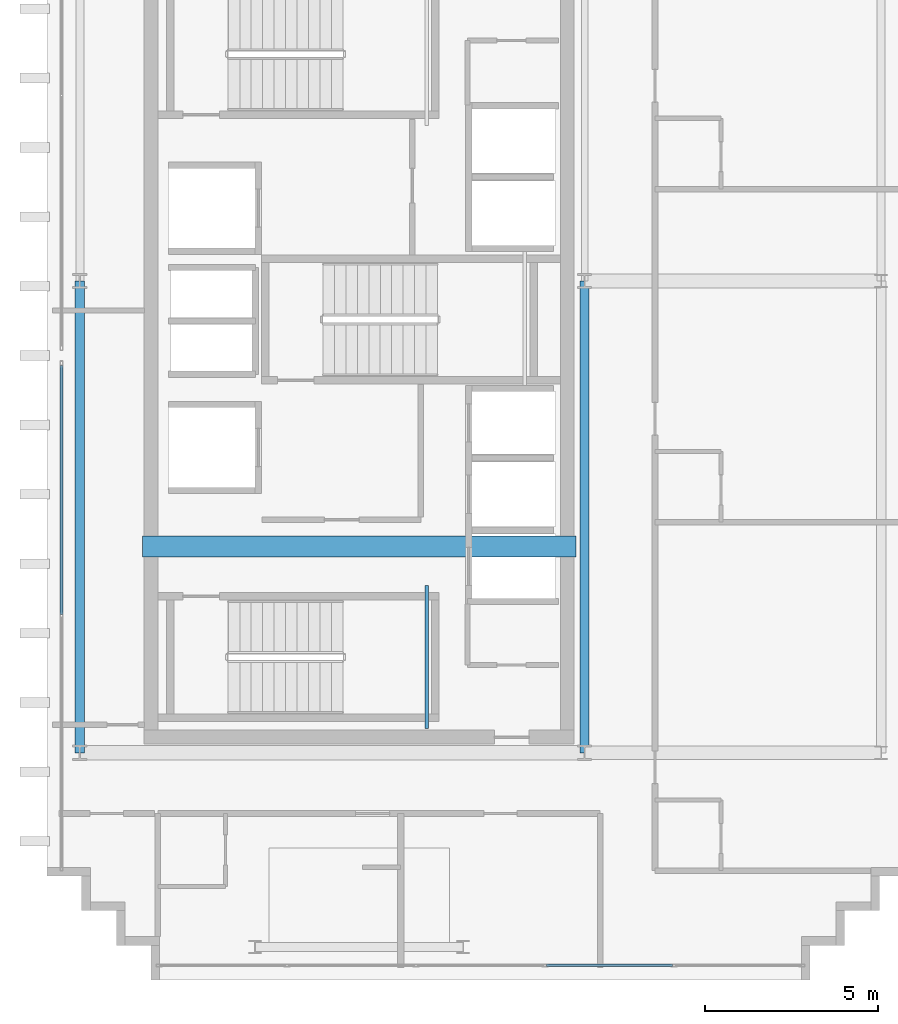
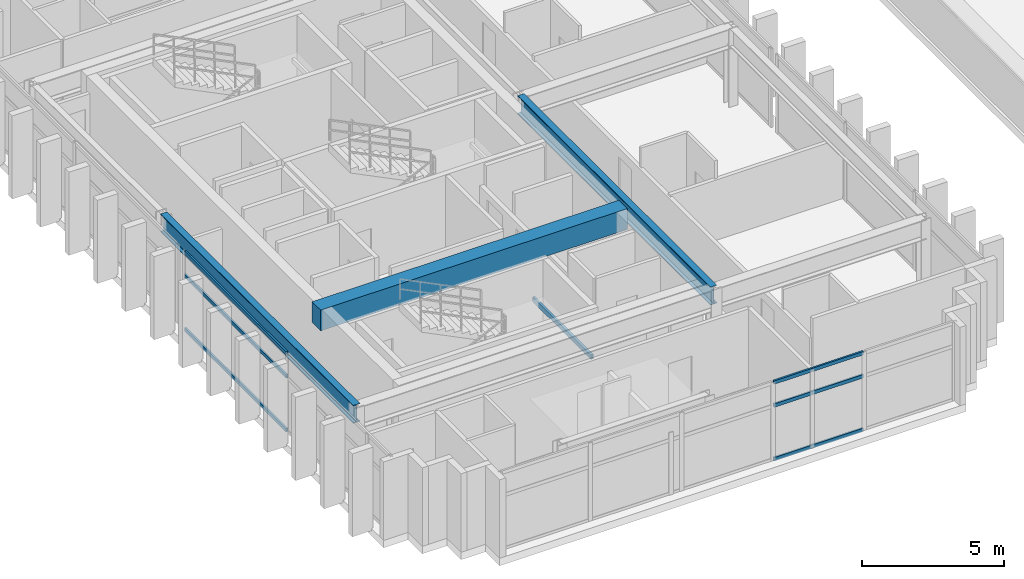
# One storey, part 4 of 17: 6 members, 4 beams, 2 elements without a shape of their own.
"""IFC4 building model written with IfcOpenShell, lengths in metres."""

import ifcopenshell
import ifcopenshell.guid

model = None  # the IFC model being written
_history = None  # IfcOwnerHistory: only IFC2X3 demands one
_inside = {}  # id of a spatial element -> (the spatial element, [elements in it])
_under = {}  # id of a project, library or spatial element -> (it, [spatial elements below it])
_declared = {}  # id of a project -> (the project, [libraries it declares])
_typed = {}  # id of a type object -> (the type object, [elements of that type])
_made_of = {}  # id of a material, layer set ... -> (it, [elements and type objects made of it])


def new_model(schema):
    """Start an empty IFC model of exactly this schema.

    Asked for "IFC4X3", IfcOpenShell would pick the latest addendum, in which some entities
    have other attributes; the version numbers below select the first issue.
    IFC2X3 requires an IfcOwnerHistory on every rooted entity: one is made here for all.
    """
    global model, _history
    if schema == "IFC4X3":
        model = ifcopenshell.file(schema_version=(4, 3, 0, 0))
    else:
        model = ifcopenshell.file(schema=schema)
    _inside.clear()
    _under.clear()
    _declared.clear()
    _typed.clear()
    _made_of.clear()
    _history = None
    if model.schema == "IFC2X3":
        org = make("IfcOrganization", Name="unknown")
        user = make(
            "IfcPersonAndOrganization",
            ThePerson=make("IfcPerson", FamilyName="unknown"),
            TheOrganization=org,
        )
        app = make(
            "IfcApplication",
            ApplicationDeveloper=org,
            Version="unknown",
            ApplicationFullName="unknown",
            ApplicationIdentifier="unknown",
        )
        _history = make(
            "IfcOwnerHistory",
            OwningUser=user,
            OwningApplication=app,
            ChangeAction="ADDED",
            CreationDate=0,
        )
    return model


def make(cls, **values):
    """One entity of the class cls with the attributes given. An attribute that is None is left unset."""
    return model.create_entity(
        cls, **{name: value for name, value in values.items() if value is not None}
    )


def rooted(cls, **values):
    """An entity with a GlobalId (a new one), such as an element, a storey or a relation."""
    return make(cls, GlobalId=ifcopenshell.guid.new(), OwnerHistory=_history, **values)


def si_unit(unit_type, name, prefix=None):
    """IfcSIUnit, for example si_unit("LENGTHUNIT", "METRE", prefix="MILLI")."""
    return make("IfcSIUnit", UnitType=unit_type, Prefix=prefix, Name=name)


def assignment(units):
    """IfcUnitAssignment: the units of a project."""
    return None if units is None else make("IfcUnitAssignment", Units=units)


def point(xyz):
    """IfcCartesianPoint."""
    return None if xyz is None else make("IfcCartesianPoint", Coordinates=xyz)


def direction(xyz):
    """IfcDirection."""
    return None if xyz is None else make("IfcDirection", DirectionRatios=xyz)


def frame(location, z_axis=None, x_axis=None):
    """IfcAxis2Placement3D, a coordinate frame: its origin and axes. An axis left out is left unset."""
    return make(
        "IfcAxis2Placement3D",
        Location=point(location),
        Axis=direction(z_axis),
        RefDirection=direction(x_axis),
    )


def frame_2d(location, x_axis=None):
    """IfcAxis2Placement2D, a coordinate frame in the plane: its origin and x axis."""
    return make(
        "IfcAxis2Placement2D", Location=point(location), RefDirection=direction(x_axis)
    )


def origin():
    """The frame at (0, 0, 0) with its axes left unset."""
    return frame((0.0, 0.0, 0.0))


def origin_2d():
    """The frame at (0, 0) in the plane with its x axis left unset."""
    return frame_2d((0.0, 0.0))


def place(relative_to, where):
    """IfcLocalPlacement: puts the frame where relative to a parent placement (None: the world)."""
    return make(
        "IfcLocalPlacement", PlacementRelTo=relative_to, RelativePlacement=where
    )


def context(
    kind, dimensions, precision=None, world=None, true_north=None, identifier=None
):
    """IfcGeometricRepresentationContext, for example the 3D "Model" context."""
    return make(
        "IfcGeometricRepresentationContext",
        ContextIdentifier=identifier,
        ContextType=kind,
        CoordinateSpaceDimension=dimensions,
        Precision=precision,
        WorldCoordinateSystem=world,
        TrueNorth=true_north,
    )


def subcontext(parent, identifier, kind, view, scale=None):
    """IfcGeometricRepresentationSubContext, for example "Body" below "Model"."""
    return make(
        "IfcGeometricRepresentationSubContext",
        ContextIdentifier=identifier,
        ContextType=kind,
        ParentContext=parent,
        TargetScale=scale,
        TargetView=view,
    )


def project(units=None, contexts=None):
    """IfcProject with its units and contexts."""
    return rooted(
        "IfcProject",
        Name="project",
        RepresentationContexts=contexts,
        UnitsInContext=assignment(units),
    )


def spatial(cls, under=None, at=None, **own):
    """A site, building, storey or space (cls), placed at a placement, below another one or the project."""
    s = rooted(cls, ObjectPlacement=at, **own)
    if under is not None:
        _under.setdefault(under.id(), (under, []))[1].append(s)
    return s


def profile(cls, at=None, kind="AREA", **sizes):
    """A parametric profile (cls). Its sizes go by their IFC names, for example OverallWidth=200.0."""
    return make(cls, ProfileType=kind, Position=at, **sizes)


def rectangle(**sizes):
    """IfcRectangleProfileDef."""
    return profile("IfcRectangleProfileDef", **sizes)


def hollow_rectangle(**sizes):
    """IfcRectangleHollowProfileDef."""
    return profile("IfcRectangleHollowProfileDef", **sizes)


def i_section(**sizes):
    """IfcIShapeProfileDef."""
    return profile("IfcIShapeProfileDef", **sizes)


def extrude(swept, where, along, depth):
    """IfcExtrudedAreaSolid: the profile swept, set in the frame where, extruded along a direction by depth."""
    return make(
        "IfcExtrudedAreaSolid",
        SweptArea=swept,
        Position=where,
        ExtrudedDirection=direction(along),
        Depth=depth,
    )


def shape(context_of_items, identifier, shape_type, items):
    """IfcShapeRepresentation: the items that make up one representation, for example the "Body"."""
    return make(
        "IfcShapeRepresentation",
        ContextOfItems=context_of_items,
        RepresentationIdentifier=identifier,
        RepresentationType=shape_type,
        Items=items,
    )


def source(mapping_origin, context_of_items, identifier, shape_type, items):
    """IfcRepresentationMap: a shape defined once, which mapped items show again and again."""
    return make(
        "IfcRepresentationMap",
        MappingOrigin=mapping_origin,
        MappedRepresentation=shape(context_of_items, identifier, shape_type, items),
    )


def transform(
    local_origin,
    x_axis=None,
    y_axis=None,
    z_axis=None,
    scale=None,
    scale2=None,
    scale3=None,
    uniform=True,
):
    """IfcCartesianTransformationOperator3D, or its non-uniform kind. x_axis, y_axis, z_axis: its Axis1, 2, 3."""
    if uniform:
        return make(
            "IfcCartesianTransformationOperator3D",
            Axis1=direction(x_axis),
            Axis2=direction(y_axis),
            LocalOrigin=point(local_origin),
            Scale=scale,
            Axis3=direction(z_axis),
        )
    return make(
        "IfcCartesianTransformationOperator3DnonUniform",
        Axis1=direction(x_axis),
        Axis2=direction(y_axis),
        LocalOrigin=point(local_origin),
        Scale=scale,
        Axis3=direction(z_axis),
        Scale2=scale2,
        Scale3=scale3,
    )


def mapped(mapping_source, mapping_target):
    """IfcMappedItem: shows the shape of a source again, moved by a transform."""
    return make(
        "IfcMappedItem", MappingSource=mapping_source, MappingTarget=mapping_target
    )


def material(Name=None, Category=None):
    """IfcMaterial."""
    return make("IfcMaterial", Name=Name, Category=Category)


def layer(
    of_material, thickness, ventilated=None, Name=None, Category=None, Priority=None
):
    """IfcMaterialLayer: one layer of a wall or slab, of a material (None: an air gap)."""
    return make(
        "IfcMaterialLayer",
        Material=of_material,
        LayerThickness=thickness,
        IsVentilated=ventilated,
        Name=Name,
        Category=Category,
        Priority=Priority,
    )


def layer_set(layers, Name=None):
    """IfcMaterialLayerSet."""
    return make("IfcMaterialLayerSet", MaterialLayers=layers, LayerSetName=Name)


def material_profile(
    of_material, cross_section, Name=None, Category=None, Priority=None
):
    """IfcMaterialProfile: a cross section and its material."""
    return make(
        "IfcMaterialProfile",
        Name=Name,
        Material=of_material,
        Profile=cross_section,
        Priority=Priority,
        Category=Category,
    )


def profile_set(profiles, Name=None, composite=None):
    """IfcMaterialProfileSet."""
    return make(
        "IfcMaterialProfileSet",
        Name=Name,
        MaterialProfiles=profiles,
        CompositeProfile=composite,
    )


def made_of(thing, what):
    """Note that an element or type object is made of a material, layer set ...; save() writes the relation."""
    if what is not None:
        _made_of.setdefault(what.id(), (what, []))[1].append(thing)
    return thing


def type_object(cls, material=None, **own):
    """A type object (cls), such as IfcWallType, which elements share."""
    return made_of(rooted(cls, **own), material)


def element(
    cls,
    number,
    at=None,
    inside=None,
    cuts=None,
    type_object=None,
    material=None,
    context=None,
    identifier="Body",
    shape_type=None,
    held_by="IfcProductDefinitionShape",
    body=None,
    shapes=None,
    **own,
):
    """One element of the class cls, such as IfcWall. Its Tag is "e" and its number.

    at: its placement. inside: the storey or other place that contains it. cuts: it is an
    opening in that element (IfcRelVoidsElement). A single representation is given by context,
    identifier, shape_type and body (its items); several are given by shapes. held_by: the class
    of the entity that holds the representations. save() writes the other relations.
    """
    e = rooted(cls, Tag="e%d" % number, ObjectPlacement=at, **own)
    if body is not None:
        shapes = [shape(context, identifier, shape_type, body)]
    if shapes is not None:
        e.Representation = make(held_by, Representations=shapes)
    if inside is not None:
        _inside.setdefault(inside.id(), (inside, []))[1].append(e)
    if cuts is not None:
        rooted(
            "IfcRelVoidsElement", RelatingBuildingElement=cuts, RelatedOpeningElement=e
        )
    if type_object is not None:
        _typed.setdefault(type_object.id(), (type_object, []))[1].append(e)
    return made_of(e, material)


def aggregate(whole, parts):
    """IfcRelAggregates: a whole, such as a stair, and the parts it consists of."""
    return rooted("IfcRelAggregates", RelatingObject=whole, RelatedObjects=parts)


def save(model, path):
    """Write the relations noted so far, then the file.

    IfcRelAggregates (storeys below a building ...), IfcRelContainedInSpatialStructure (elements
    in a storey), IfcRelDefinesByType, IfcRelAssociatesMaterial and IfcRelDeclares: one each for
    every whole, place, type object, material and project.
    """
    for whole, parts in _under.values():
        aggregate(whole, parts)
    for where, things in _inside.values():
        rooted(
            "IfcRelContainedInSpatialStructure",
            RelatedElements=things,
            RelatingStructure=where,
        )
    for kind, things in _typed.values():
        rooted("IfcRelDefinesByType", RelatedObjects=things, RelatingType=kind)
    for what, things in _made_of.values():
        rooted("IfcRelAssociatesMaterial", RelatedObjects=things, RelatingMaterial=what)
    for by, libraries in _declared.values():
        rooted("IfcRelDeclares", RelatingContext=by, RelatedDefinitions=libraries)
    model.write(path)


model = new_model("IFC4")

# Units and contexts
model_context = context("Model", 3, precision=1e-05, world=origin(), true_north=direction((0.0, 1.0)))
body_context = subcontext(model_context, "Body", "Model", "MODEL_VIEW")
ifc_project = project(units=[si_unit("LENGTHUNIT", "METRE"), si_unit("AREAUNIT", "SQUARE_METRE"), si_unit("VOLUMEUNIT", "CUBIC_METRE"), si_unit("PLANEANGLEUNIT", "RADIAN"), si_unit("MASSUNIT", "GRAM", prefix="KILO")], contexts=[model_context])

# Site, building, storey
site_placement = place(None, origin())
site = spatial("IfcSite", under=ifc_project, at=site_placement, CompositionType="ELEMENT")
building_placement = place(site_placement, origin())
building = spatial("IfcBuilding", under=site, at=building_placement, Name="Ocotamira Hotel", CompositionType="ELEMENT")
storey_placement = place(building_placement, frame((0.0, 0.0, 272.39990234375)))
storey = spatial("IfcBuildingStorey", under=building, at=storey_placement, Name="L69", CompositionType="ELEMENT", Elevation=272.39990234375)

# Beams
ifc_material_1 = material(Name="Concrete C50/60", Category="concrete")
ifc_material_profile_1 = material_profile(ifc_material_1, rectangle(XDim=0.60009765625, YDim=0.89990234375, at=origin_2d()), Name="RC600X900")
ifc_profile_set_1 = profile_set([ifc_material_profile_1], Name="Concrete C50/60")
beam_type_1 = type_object("IfcBeamType", Name="BM-LINK-RC600", PredefinedType="LINTEL", material=ifc_profile_set_1)
shared_shape_1 = source(origin(), body_context, "Body", "SweptSolid", [
    extrude(rectangle(XDim=0.60009765625, YDim=0.89990234375, at=origin_2d()), origin(), (0.0, 0.0, 1.0), 12.5),
])
beam_1_placement = place(storey_placement, frame((10.75, 20.5, 2.93017578125), z_axis=(1.0, 0.0, 0.0), x_axis=(0.0, 1.0, 0.0)))
element("IfcBeam", 1, at=beam_1_placement, inside=storey, type_object=beam_type_1, Name="L69 West Core Coupling Beam", PredefinedType="LINTEL", context=body_context, shape_type="MappedRepresentation", body=[
    mapped(shared_shape_1, transform((0.0, 0.0, 0.0), scale=1.0)),
])
ifc_material_2 = material(Name="Steel ASTM A500 Grade C", Category="steel")
ifc_material_profile_2 = material_profile(ifc_material_2, hollow_rectangle(XDim=0.10009765625, YDim=0.199951171875, WallThickness=0.008056640625, at=origin_2d()), Name="HSS200X100X8")
ifc_profile_set_2 = profile_set([ifc_material_profile_2], Name="Steel ASTM A500 Grade C")
beam_type_2 = type_object("IfcBeamType", Name="BM-STLDG-HSS200", PredefinedType="BEAM", material=ifc_profile_set_2)
shared_shape_2 = source(origin(), body_context, "Body", "SweptSolid", [
    extrude(hollow_rectangle(XDim=0.10009765625, YDim=0.199951171875, WallThickness=0.008056640625, at=origin_2d()), origin(), (0.0, 0.0, 1.0), 4.1201171875),
])
beam_2_placement = place(storey_placement, frame((18.949951171875, 15.25, 1.5), z_axis=(0.0, 1.0, 0.0), x_axis=(-1.0, 0.0, 0.0)))
element("IfcBeam", 2, at=beam_2_placement, inside=storey, type_object=beam_type_2, Name="L69 Stair ST-1 Landing Bearer 1", PredefinedType="BEAM", context=body_context, shape_type="MappedRepresentation", body=[
    mapped(shared_shape_2, transform((0.0, 0.0, 0.0), scale=1.0)),
])
ifc_material_3 = material(Name="Steel ASTM A992 Grade 50", Category="steel")
ifc_material_profile_3 = material_profile(ifc_material_3, i_section(OverallWidth=0.26611328125, OverallDepth=0.779052734375, WebThickness=0.0166015625, FlangeThickness=0.030029296875, FilletRadius=0.01806640625, at=origin_2d()), Name="W30X148")
ifc_profile_set_3 = profile_set([ifc_material_profile_3], Name="Steel ASTM A992 Grade 50")
beam_type_3 = type_object("IfcBeamType", Name="BM-GIRD-W30X148", PredefinedType="BEAM", material=ifc_profile_set_3)
shared_shape_3 = source(origin(), body_context, "Body", "SweptSolid", [
    extrude(i_section(OverallWidth=0.26611328125, OverallDepth=0.779052734375, WebThickness=0.0166015625, FlangeThickness=0.030029296875, FilletRadius=0.01806640625, at=origin_2d()), origin(), (0.0, 0.0, 1.0), 13.599853515625),
])
for number, where, z_axis, x_axis, name in (
    (3, (8.949951171875, 14.550048828125, 2.990478515625), (0.0, 1.0, 0.0), (-1.0, 0.0, 0.0), "L69 Beam X8.95 Y14.55-28.15"),
    (4, (23.5, 14.550048828125, 2.990478515625), (0.0, 1.0, 0.0), (-1.0, 0.0, 0.0), "L69 Beam X23.5 Y14.55-28.15"),
):
    element("IfcBeam", number, at=place(storey_placement, frame(where, z_axis=z_axis, x_axis=x_axis)), inside=storey, type_object=beam_type_3, Name=name, PredefinedType="BEAM", context=body_context, shape_type="MappedRepresentation", body=[
        mapped(shared_shape_3, transform((0.0, 0.0, 0.0), scale=1.0)),
    ])

# Curtain wall, members
ifc_material_4 = material(Name="Anodised pale-metal aluminium and solar glass", Category="aluminium")
ifc_layer = layer(ifc_material_4, 0.2099609375)
ifc_layer_set = layer_set([ifc_layer], Name="Anodised pale-metal aluminium and solar glass")
curtain_wall_type = type_object("IfcCurtainWallType", Name="CW-SYS7-PEAK", PredefinedType="NOTDEFINED", material=ifc_layer_set)
curtain_wall_1_placement = place(storey_placement, origin())
curtain_wall_1 = element("IfcCurtainWall", 5, at=curtain_wall_1_placement, inside=storey, type_object=curtain_wall_type, Name="L69 Curtain Wall CW-7 CW-L69-W1", PredefinedType="NOTDEFINED")
ifc_material_5 = material(Name="Anodised pale-metal aluminium 6063-T6", Category="aluminium")
ifc_material_profile_4 = material_profile(ifc_material_5, hollow_rectangle(XDim=0.074951171875, YDim=0.14990234375, WallThickness=0.006103515625, at=origin_2d()), Name="HSS150X75X6")
ifc_profile_set_4 = profile_set([ifc_material_profile_4], Name="Anodised pale-metal aluminium 6063-T6")
member_type = type_object("IfcMemberType", Name="CWT-150X75", PredefinedType="USERDEFINED", material=ifc_profile_set_4)
shared_shape_4 = source(origin(), body_context, "Body", "SweptSolid", [
    extrude(hollow_rectangle(XDim=0.074951171875, YDim=0.14990234375, WallThickness=0.006103515625, at=origin_2d()), origin(), (0.0, 0.0, 1.0), 7.179931640625),
])
member_1_placement = place(storey_placement, frame((8.419921875, 18.5400390625, 0.03759765625), z_axis=(0.0, 1.0, 0.0), x_axis=(-1.0, 0.0, 0.0)))
member_1 = element("IfcMember", 6, at=member_1_placement, type_object=member_type, Name="CW-7 transom 2.1", ObjectType="TRANSOM", PredefinedType="USERDEFINED", context=body_context, shape_type="MappedRepresentation", body=[
    mapped(shared_shape_4, transform((0.0, 0.0, 0.0), scale=1.0)),
])
member_2_placement = place(storey_placement, frame((8.419921875, 18.5400390625, 2.35009765625), z_axis=(0.0, 1.0, 0.0), x_axis=(-1.0, 0.0, 0.0)))
member_2 = element("IfcMember", 7, at=member_2_placement, type_object=member_type, Name="CW-7 transom 2.2", ObjectType="TRANSOM", PredefinedType="USERDEFINED", context=body_context, shape_type="MappedRepresentation", body=[
    mapped(shared_shape_4, transform((0.0, 0.0, 0.0), scale=1.0)),
])
member_3_placement = place(storey_placement, frame((8.419921875, 18.5400390625, 3.342529296875), z_axis=(0.0, 1.0, 0.0), x_axis=(-1.0, 0.0, 0.0)))
member_3 = element("IfcMember", 8, at=member_3_placement, type_object=member_type, Name="CW-7 transom 2.3", ObjectType="TRANSOM", PredefinedType="USERDEFINED", context=body_context, shape_type="MappedRepresentation", body=[
    mapped(shared_shape_4, transform((0.0, 0.0, 0.0), scale=1.0)),
])
aggregate(curtain_wall_1, [member_1, member_2, member_3])

curtain_wall_2_placement = place(storey_placement, origin())
curtain_wall_2 = element("IfcCurtainWall", 9, at=curtain_wall_2_placement, inside=storey, type_object=curtain_wall_type, Name="L69 Curtain Wall CW-7 CW-L69-S1", PredefinedType="NOTDEFINED")
shared_shape_5 = source(origin(), body_context, "Body", "SweptSolid", [
    extrude(hollow_rectangle(XDim=0.074951171875, YDim=0.14990234375, WallThickness=0.006103515625, at=origin_2d()), origin(), (0.0, 0.0, 1.0), 3.64013671875),
])
member_4_placement = place(storey_placement, frame((22.39990234375, 8.419921875, 0.03759765625), z_axis=(1.0, 0.0, 0.0), x_axis=(0.0, 1.0, 0.0)))
member_4 = element("IfcMember", 10, at=member_4_placement, type_object=member_type, Name="CW-7 transom 4.1", ObjectType="TRANSOM", PredefinedType="USERDEFINED", context=body_context, shape_type="MappedRepresentation", body=[
    mapped(shared_shape_5, transform((0.0, 0.0, 0.0), scale=1.0)),
])
member_5_placement = place(storey_placement, frame((22.39990234375, 8.419921875, 2.35009765625), z_axis=(1.0, 0.0, 0.0), x_axis=(0.0, 1.0, 0.0)))
member_5 = element("IfcMember", 11, at=member_5_placement, type_object=member_type, Name="CW-7 transom 4.2", ObjectType="TRANSOM", PredefinedType="USERDEFINED", context=body_context, shape_type="MappedRepresentation", body=[
    mapped(shared_shape_5, transform((0.0, 0.0, 0.0), scale=1.0)),
])
member_6_placement = place(storey_placement, frame((22.39990234375, 8.419921875, 3.342529296875), z_axis=(1.0, 0.0, 0.0), x_axis=(0.0, 1.0, 0.0)))
member_6 = element("IfcMember", 12, at=member_6_placement, type_object=member_type, Name="CW-7 transom 4.3", ObjectType="TRANSOM", PredefinedType="USERDEFINED", context=body_context, shape_type="MappedRepresentation", body=[
    mapped(shared_shape_5, transform((0.0, 0.0, 0.0), scale=1.0)),
])
aggregate(curtain_wall_2, [member_4, member_5, member_6])

save(model, "model.ifc")
